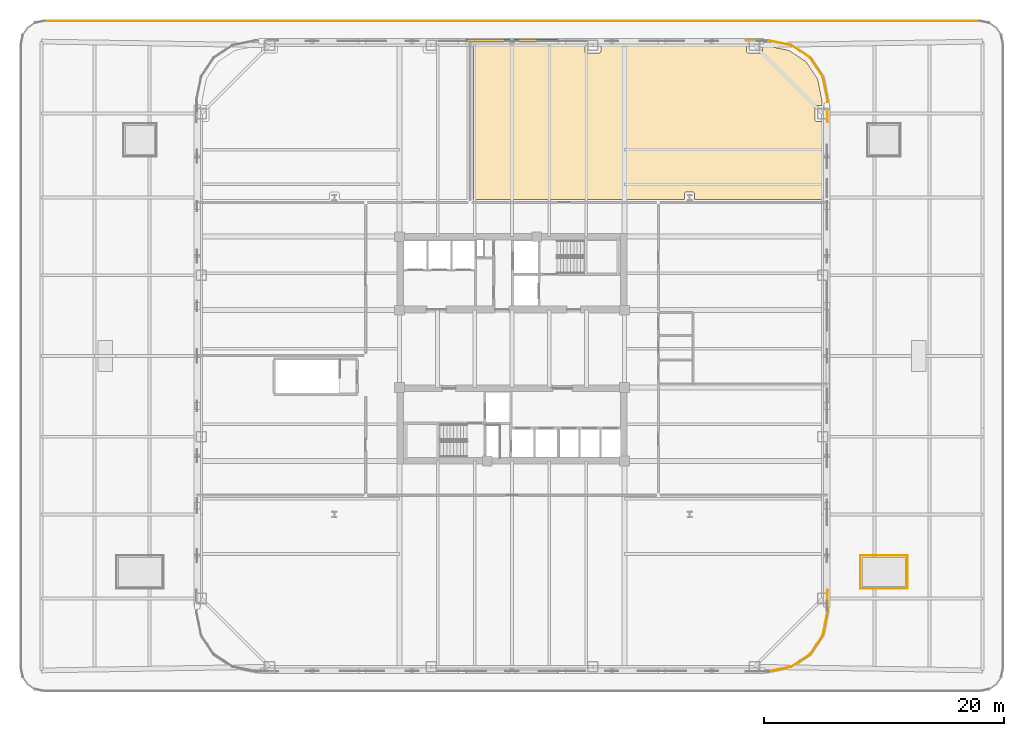
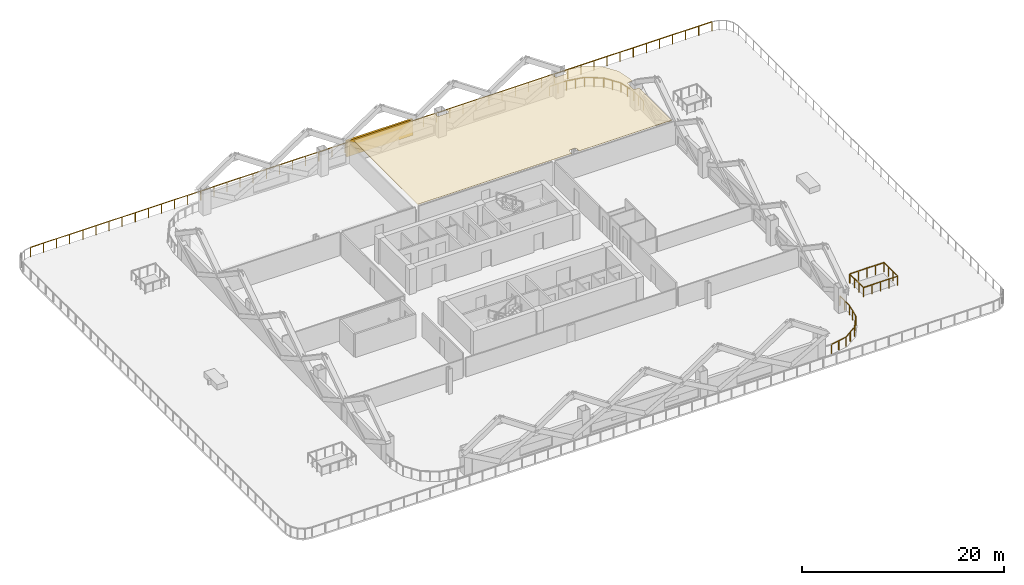
# One storey, part 16 of 17: 7 railings, 1 covering, 1 shading device.
"""IFC4 building model written with IfcOpenShell, lengths in metres."""

from ifc_helpers import new_model, si_unit, direction, frame, origin, origin_2d, place, context, subcontext, project, spatial, polyline, rectangle, outline, extrude, material, layer, layer_set, type_object, element, save


model = new_model("IFC4")

# Units and contexts
model_context = context("Model", 3, precision=1e-05, world=origin(), true_north=direction((0.0, 1.0)))
body_context = subcontext(model_context, "Body", "Model", "MODEL_VIEW")
ifc_project = project(units=[si_unit("LENGTHUNIT", "METRE"), si_unit("AREAUNIT", "SQUARE_METRE"), si_unit("VOLUMEUNIT", "CUBIC_METRE"), si_unit("PLANEANGLEUNIT", "RADIAN"), si_unit("MASSUNIT", "GRAM", prefix="KILO")], contexts=[model_context])

# Site, building, storey
site_placement = place(None, origin())
site = spatial("IfcSite", under=ifc_project, at=site_placement, CompositionType="ELEMENT")
building_placement = place(site_placement, origin())
building = spatial("IfcBuilding", under=site, at=building_placement, Name="Qhalaya Broadcast Tower", CompositionType="ELEMENT")
storey_placement = place(building_placement, frame((0.0, 0.0, 26.10009765625)))
storey = spatial("IfcBuildingStorey", under=building, at=storey_placement, Name="L06", CompositionType="ELEMENT", Elevation=26.10009765625)

# Covering
ifc_material_1 = material(Name="Acoustic Mineral-Fibre Ceiling")
ifc_layer = layer(ifc_material_1, 0.0400390625, Name="Acoustic Mineral-Fibre Ceiling")
ifc_layer_set = layer_set([ifc_layer], Name="Acoustic Mineral-Fibre Ceiling")
covering_type = type_object("IfcCoveringType", Name="Acoustic Mineral-Fibre Suspended Ceiling CLG-01", PredefinedType="CEILING", material=ifc_layer_set)
covering_placement = place(storey_placement, frame((0.0, 0.0, 2.789794921875)))
element("IfcCovering", 1, at=covering_placement, inside=storey, type_object=covering_type, Name="L06 Acoustic Suspended Ceiling 02", PredefinedType="CEILING", context=body_context, shape_type="SweptSolid", body=[
    extrude(outline(polyline([(6.063232421875, 25.820068359375), (-3.239990234375, 25.820068359375), (-3.239990234375, 13.06005859375), (14.37109375, 13.06005859375), (14.37109375, 13.47509765625), (14.3720703125, 13.49462890625), (14.374755859375, 13.513916015625), (14.379638671875, 13.533203125), (14.38623046875, 13.551513671875), (14.39453125, 13.5693359375), (14.40478515625, 13.586181640625), (14.41650390625, 13.601806640625), (14.4296875, 13.616455078125), (14.444091796875, 13.629638671875), (14.4599609375, 13.641357421875), (14.476806640625, 13.6513671875), (14.494384765625, 13.659912109375), (14.512939453125, 13.66650390625), (14.531982421875, 13.671142578125), (14.551513671875, 13.674072265625), (14.571044921875, 13.675048828125), (15.029052734375, 13.675048828125), (15.048583984375, 13.674072265625), (15.068115234375, 13.671142578125), (15.087158203125, 13.66650390625), (15.10546875, 13.659912109375), (15.123291015625, 13.6513671875), (15.14013671875, 13.641357421875), (15.156005859375, 13.629638671875), (15.17041015625, 13.616455078125), (15.18359375, 13.601806640625), (15.1953125, 13.586181640625), (15.205322265625, 13.5693359375), (15.2138671875, 13.551513671875), (15.220458984375, 13.533203125), (15.22509765625, 13.513916015625), (15.22802734375, 13.49462890625), (15.22900390625, 13.47509765625), (15.22900390625, 13.06005859375), (25.820068359375, 13.06005859375), (25.820068359375, 19.530029296875), (25.429931640625, 19.530029296875), (25.410400390625, 19.531005859375), (25.39111328125, 19.53369140625), (25.371826171875, 19.53857421875), (25.353515625, 19.545166015625), (25.335693359375, 19.5537109375), (25.31884765625, 19.563720703125), (25.302978515625, 19.575439453125), (25.28857421875, 19.588623046875), (25.275390625, 19.60302734375), (25.263671875, 19.618896484375), (25.253662109375, 19.6357421875), (25.2451171875, 19.653564453125), (25.238525390625, 19.671875), (25.23388671875, 19.69091796875), (25.23095703125, 19.71044921875), (25.22998046875, 19.72998046875), (25.22998046875, 20.669921875), (25.23095703125, 20.689697265625), (25.23388671875, 20.708984375), (25.238525390625, 20.72802734375), (25.2451171875, 20.74658203125), (25.253662109375, 20.764404296875), (25.263671875, 20.781005859375), (25.275390625, 20.796875), (25.28857421875, 20.811279296875), (25.302978515625, 20.82470703125), (25.31884765625, 20.836181640625), (25.335693359375, 20.846435546875), (25.353515625, 20.854736328125), (25.371826171875, 20.861328125), (25.39111328125, 20.8662109375), (25.410400390625, 20.868896484375), (25.429931640625, 20.8701171875), (25.820068359375, 20.8701171875), (25.820068359375, 21.343017578125), (25.472900390625, 23.087158203125), (24.517333984375, 24.517333984375), (23.087158203125, 25.472900390625), (21.343017578125, 25.820068359375), (20.8701171875, 25.820068359375), (20.8701171875, 25.429931640625), (20.868896484375, 25.410400390625), (20.8662109375, 25.39111328125), (20.861328125, 25.371826171875), (20.854736328125, 25.353515625), (20.846435546875, 25.335693359375), (20.836181640625, 25.31884765625), (20.82470703125, 25.302978515625), (20.811279296875, 25.28857421875), (20.796875, 25.275390625), (20.781005859375, 25.263671875), (20.764404296875, 25.253662109375), (20.74658203125, 25.2451171875), (20.72802734375, 25.238525390625), (20.708984375, 25.23388671875), (20.689697265625, 25.23095703125), (20.669921875, 25.22998046875), (19.72998046875, 25.22998046875), (19.71044921875, 25.23095703125), (19.69091796875, 25.23388671875), (19.671875, 25.238525390625), (19.653564453125, 25.2451171875), (19.6357421875, 25.253662109375), (19.618896484375, 25.263671875), (19.60302734375, 25.275390625), (19.588623046875, 25.28857421875), (19.575439453125, 25.302978515625), (19.563720703125, 25.31884765625), (19.5537109375, 25.335693359375), (19.545166015625, 25.353515625), (19.53857421875, 25.371826171875), (19.53369140625, 25.39111328125), (19.531005859375, 25.410400390625), (19.530029296875, 25.429931640625), (19.530029296875, 25.820068359375), (7.4033203125, 25.820068359375), (7.4033203125, 25.429931640625), (7.40234375, 25.410400390625), (7.3994140625, 25.39111328125), (7.394775390625, 25.371826171875), (7.38818359375, 25.353515625), (7.379638671875, 25.335693359375), (7.36962890625, 25.31884765625), (7.35791015625, 25.302978515625), (7.3447265625, 25.28857421875), (7.330078125, 25.275390625), (7.314453125, 25.263671875), (7.297607421875, 25.253662109375), (7.27978515625, 25.2451171875), (7.261474609375, 25.238525390625), (7.2421875, 25.23388671875), (7.222900390625, 25.23095703125), (7.203369140625, 25.22998046875), (6.26318359375, 25.22998046875), (6.24365234375, 25.23095703125), (6.224365234375, 25.23388671875), (6.205078125, 25.238525390625), (6.186767578125, 25.2451171875), (6.1689453125, 25.253662109375), (6.152099609375, 25.263671875), (6.136474609375, 25.275390625), (6.121826171875, 25.28857421875), (6.108642578125, 25.302978515625), (6.096923828125, 25.31884765625), (6.0869140625, 25.335693359375), (6.07861328125, 25.353515625), (6.072021484375, 25.371826171875), (6.067138671875, 25.39111328125), (6.064208984375, 25.410400390625), (6.063232421875, 25.429931640625), (6.063232421875, 25.820068359375)])), origin(), (0.0, 0.0, 1.0), 0.0400390625),
])

# Railings
ifc_material_2 = material(Name="Powder-Coated Galvanised Steel", Category="steel")
railing_type = type_object("IfcRailingType", Name="Terrace, Sky-Pool & Lookout Glass Balustrade 1150", PredefinedType="BALUSTRADE", material=ifc_material_2)
railing_1_placement = place(storey_placement, frame((-38.9921875, 27.919921875, 0.0)))
element("IfcRailing", 2, at=railing_1_placement, inside=storey, type_object=railing_type, Name="L06 Perimeter Safety Balustrade BAL-TER1-11", PredefinedType="BALUSTRADE", context=body_context, shape_type="SweptSolid", body=[
    extrude(rectangle(XDim=0.048095703125, YDim=0.048095703125, at=origin_2d()), frame((0.0, 0.0, 1.1259765625), z_axis=(1.0, 0.0, 0.0), x_axis=(0.0, 1.0, 0.0)), (0.0, 0.0, 1.0), 77.984375),
    extrude(rectangle(XDim=0.0419921875, YDim=0.0419921875, at=origin_2d()), origin(), (0.0, 0.0, 1.0), 1.099853515625),
    extrude(rectangle(XDim=0.0419921875, YDim=0.0419921875, at=origin_2d()), frame((1.499755859375, 0.0, 0.0)), (0.0, 0.0, 1.0), 1.099853515625),
    extrude(rectangle(XDim=0.0419921875, YDim=0.0419921875, at=origin_2d()), frame((2.99951171875, 0.0, 0.0)), (0.0, 0.0, 1.0), 1.099853515625),
    extrude(rectangle(XDim=0.0419921875, YDim=0.0419921875, at=origin_2d()), frame((4.4990234375, 0.0, 0.0)), (0.0, 0.0, 1.0), 1.099853515625),
    extrude(rectangle(XDim=0.0419921875, YDim=0.0419921875, at=origin_2d()), frame((5.998779296875, 0.0, 0.0)), (0.0, 0.0, 1.0), 1.099853515625),
    extrude(rectangle(XDim=0.0419921875, YDim=0.0419921875, at=origin_2d()), frame((7.49853515625, 0.0, 0.0)), (0.0, 0.0, 1.0), 1.099853515625),
    extrude(rectangle(XDim=0.0419921875, YDim=0.0419921875, at=origin_2d()), frame((8.998291015625, 0.0, 0.0)), (0.0, 0.0, 1.0), 1.099853515625),
    extrude(rectangle(XDim=0.0419921875, YDim=0.0419921875, at=origin_2d()), frame((10.497802734375, 0.0, 0.0)), (0.0, 0.0, 1.0), 1.099853515625),
    extrude(rectangle(XDim=0.0419921875, YDim=0.0419921875, at=origin_2d()), frame((11.99755859375, 0.0, 0.0)), (0.0, 0.0, 1.0), 1.099853515625),
    extrude(rectangle(XDim=0.0419921875, YDim=0.0419921875, at=origin_2d()), frame((13.497314453125, 0.0, 0.0)), (0.0, 0.0, 1.0), 1.099853515625),
    extrude(rectangle(XDim=0.0419921875, YDim=0.0419921875, at=origin_2d()), frame((14.9970703125, 0.0, 0.0)), (0.0, 0.0, 1.0), 1.099853515625),
    extrude(rectangle(XDim=0.0419921875, YDim=0.0419921875, at=origin_2d()), frame((16.49658203125, 0.0, 0.0)), (0.0, 0.0, 1.0), 1.099853515625),
    extrude(rectangle(XDim=0.0419921875, YDim=0.0419921875, at=origin_2d()), frame((17.996337890625, 0.0, 0.0)), (0.0, 0.0, 1.0), 1.099853515625),
    extrude(rectangle(XDim=0.0419921875, YDim=0.0419921875, at=origin_2d()), frame((19.49609375, 0.0, 0.0)), (0.0, 0.0, 1.0), 1.099853515625),
    extrude(rectangle(XDim=0.0419921875, YDim=0.0419921875, at=origin_2d()), frame((20.995849609375, 0.0, 0.0)), (0.0, 0.0, 1.0), 1.099853515625),
    extrude(rectangle(XDim=0.0419921875, YDim=0.0419921875, at=origin_2d()), frame((22.49560546875, 0.0, 0.0)), (0.0, 0.0, 1.0), 1.099853515625),
    extrude(rectangle(XDim=0.0419921875, YDim=0.0419921875, at=origin_2d()), frame((23.9951171875, 0.0, 0.0)), (0.0, 0.0, 1.0), 1.099853515625),
    extrude(rectangle(XDim=0.0419921875, YDim=0.0419921875, at=origin_2d()), frame((25.494873046875, 0.0, 0.0)), (0.0, 0.0, 1.0), 1.099853515625),
    extrude(rectangle(XDim=0.0419921875, YDim=0.0419921875, at=origin_2d()), frame((26.99462890625, 0.0, 0.0)), (0.0, 0.0, 1.0), 1.099853515625),
    extrude(rectangle(XDim=0.0419921875, YDim=0.0419921875, at=origin_2d()), frame((28.494384765625, 0.0, 0.0)), (0.0, 0.0, 1.0), 1.099853515625),
    extrude(rectangle(XDim=0.0419921875, YDim=0.0419921875, at=origin_2d()), frame((29.993896484375, 0.0, 0.0)), (0.0, 0.0, 1.0), 1.099853515625),
    extrude(rectangle(XDim=0.0419921875, YDim=0.0419921875, at=origin_2d()), frame((31.49365234375, 0.0, 0.0)), (0.0, 0.0, 1.0), 1.099853515625),
    extrude(rectangle(XDim=0.0419921875, YDim=0.0419921875, at=origin_2d()), frame((32.993408203125, 0.0, 0.0)), (0.0, 0.0, 1.0), 1.099853515625),
    extrude(rectangle(XDim=0.0419921875, YDim=0.0419921875, at=origin_2d()), frame((34.4931640625, 0.0, 0.0)), (0.0, 0.0, 1.0), 1.099853515625),
    extrude(rectangle(XDim=0.0419921875, YDim=0.0419921875, at=origin_2d()), frame((35.99267578125, 0.0, 0.0)), (0.0, 0.0, 1.0), 1.099853515625),
    extrude(rectangle(XDim=0.0419921875, YDim=0.0419921875, at=origin_2d()), frame((37.492431640625, 0.0, 0.0)), (0.0, 0.0, 1.0), 1.099853515625),
    extrude(rectangle(XDim=0.0419921875, YDim=0.0419921875, at=origin_2d()), frame((38.9921875, 0.0, 0.0)), (0.0, 0.0, 1.0), 1.099853515625),
    extrude(rectangle(XDim=0.0419921875, YDim=0.0419921875, at=origin_2d()), frame((40.491943359375, 0.0, 0.0)), (0.0, 0.0, 1.0), 1.099853515625),
    extrude(rectangle(XDim=0.0419921875, YDim=0.0419921875, at=origin_2d()), frame((41.99169921875, 0.0, 0.0)), (0.0, 0.0, 1.0), 1.099853515625),
    extrude(rectangle(XDim=0.0419921875, YDim=0.0419921875, at=origin_2d()), frame((43.4912109375, 0.0, 0.0)), (0.0, 0.0, 1.0), 1.099853515625),
    extrude(rectangle(XDim=0.0419921875, YDim=0.0419921875, at=origin_2d()), frame((44.990966796875, 0.0, 0.0)), (0.0, 0.0, 1.0), 1.099853515625),
    extrude(rectangle(XDim=0.0419921875, YDim=0.0419921875, at=origin_2d()), frame((46.49072265625, 0.0, 0.0)), (0.0, 0.0, 1.0), 1.099853515625),
    extrude(rectangle(XDim=0.0419921875, YDim=0.0419921875, at=origin_2d()), frame((47.990478515625, 0.0, 0.0)), (0.0, 0.0, 1.0), 1.099853515625),
    extrude(rectangle(XDim=0.0419921875, YDim=0.0419921875, at=origin_2d()), frame((49.489990234375, 0.0, 0.0)), (0.0, 0.0, 1.0), 1.099853515625),
    extrude(rectangle(XDim=0.0419921875, YDim=0.0419921875, at=origin_2d()), frame((50.98974609375, 0.0, 0.0)), (0.0, 0.0, 1.0), 1.099853515625),
    extrude(rectangle(XDim=0.0419921875, YDim=0.0419921875, at=origin_2d()), frame((52.489501953125, 0.0, 0.0)), (0.0, 0.0, 1.0), 1.099853515625),
    extrude(rectangle(XDim=0.0419921875, YDim=0.0419921875, at=origin_2d()), frame((53.9892578125, 0.0, 0.0)), (0.0, 0.0, 1.0), 1.099853515625),
    extrude(rectangle(XDim=0.0419921875, YDim=0.0419921875, at=origin_2d()), frame((55.48876953125, 0.0, 0.0)), (0.0, 0.0, 1.0), 1.099853515625),
    extrude(rectangle(XDim=0.0419921875, YDim=0.0419921875, at=origin_2d()), frame((56.988525390625, 0.0, 0.0)), (0.0, 0.0, 1.0), 1.099853515625),
    extrude(rectangle(XDim=0.0419921875, YDim=0.0419921875, at=origin_2d()), frame((58.48828125, 0.0, 0.0)), (0.0, 0.0, 1.0), 1.099853515625),
    extrude(rectangle(XDim=0.0419921875, YDim=0.0419921875, at=origin_2d()), frame((59.988037109375, 0.0, 0.0)), (0.0, 0.0, 1.0), 1.099853515625),
    extrude(rectangle(XDim=0.0419921875, YDim=0.0419921875, at=origin_2d()), frame((61.48779296875, 0.0, 0.0)), (0.0, 0.0, 1.0), 1.099853515625),
    extrude(rectangle(XDim=0.0419921875, YDim=0.0419921875, at=origin_2d()), frame((62.9873046875, 0.0, 0.0)), (0.0, 0.0, 1.0), 1.099853515625),
    extrude(rectangle(XDim=0.0419921875, YDim=0.0419921875, at=origin_2d()), frame((64.487060546875, 0.0, 0.0)), (0.0, 0.0, 1.0), 1.099853515625),
    extrude(rectangle(XDim=0.0419921875, YDim=0.0419921875, at=origin_2d()), frame((65.98681640625, 0.0, 0.0)), (0.0, 0.0, 1.0), 1.099853515625),
    extrude(rectangle(XDim=0.0419921875, YDim=0.0419921875, at=origin_2d()), frame((67.486572265625, 0.0, 0.0)), (0.0, 0.0, 1.0), 1.099853515625),
    extrude(rectangle(XDim=0.0419921875, YDim=0.0419921875, at=origin_2d()), frame((68.986083984375, 0.0, 0.0)), (0.0, 0.0, 1.0), 1.099853515625),
    extrude(rectangle(XDim=0.0419921875, YDim=0.0419921875, at=origin_2d()), frame((70.48583984375, 0.0, 0.0)), (0.0, 0.0, 1.0), 1.099853515625),
    extrude(rectangle(XDim=0.0419921875, YDim=0.0419921875, at=origin_2d()), frame((71.985595703125, 0.0, 0.0)), (0.0, 0.0, 1.0), 1.099853515625),
    extrude(rectangle(XDim=0.0419921875, YDim=0.0419921875, at=origin_2d()), frame((73.4853515625, 0.0, 0.0)), (0.0, 0.0, 1.0), 1.099853515625),
    extrude(rectangle(XDim=0.0419921875, YDim=0.0419921875, at=origin_2d()), frame((74.98486328125, 0.0, 0.0)), (0.0, 0.0, 1.0), 1.099853515625),
    extrude(rectangle(XDim=0.0419921875, YDim=0.0419921875, at=origin_2d()), frame((76.484619140625, 0.0, 0.0)), (0.0, 0.0, 1.0), 1.099853515625),
    extrude(rectangle(XDim=0.0419921875, YDim=0.0419921875, at=origin_2d()), frame((77.984375, 0.0, 0.0)), (0.0, 0.0, 1.0), 1.099853515625),
])
railing_2_placement = place(storey_placement, frame((29.0400390625, -19.360107421875, 0.0)))
element("IfcRailing", 3, at=railing_2_placement, inside=storey, type_object=railing_type, Name="L06 Skylight Safety Guard SK1-2-1", PredefinedType="BALUSTRADE", context=body_context, shape_type="SweptSolid", body=[
    extrude(rectangle(XDim=0.048095703125, YDim=0.048095703125, at=origin_2d()), frame((0.0, 0.0, 1.1259765625), z_axis=(1.0, 0.0, 0.0), x_axis=(0.0, 1.0, 0.0)), (0.0, 0.0, 1.0), 3.919921875),
    extrude(rectangle(XDim=0.0419921875, YDim=0.0419921875, at=origin_2d()), origin(), (0.0, 0.0, 1.0), 1.099853515625),
    extrude(rectangle(XDim=0.0419921875, YDim=0.0419921875, at=origin_2d()), frame((0.97998046875, 0.0, 0.0)), (0.0, 0.0, 1.0), 1.099853515625),
    extrude(rectangle(XDim=0.0419921875, YDim=0.0419921875, at=origin_2d()), frame((1.9599609375, 0.0, 0.0)), (0.0, 0.0, 1.0), 1.099853515625),
    extrude(rectangle(XDim=0.0419921875, YDim=0.0419921875, at=origin_2d()), frame((2.93994140625, 0.0, 0.0)), (0.0, 0.0, 1.0), 1.099853515625),
    extrude(rectangle(XDim=0.0419921875, YDim=0.0419921875, at=origin_2d()), frame((3.919921875, 0.0, 0.0)), (0.0, 0.0, 1.0), 1.099853515625),
])
railing_3_placement = place(storey_placement, frame((32.9599609375, -19.360107421875, 0.0)))
element("IfcRailing", 4, at=railing_3_placement, inside=storey, type_object=railing_type, Name="L06 Skylight Safety Guard SK1-2-2", PredefinedType="BALUSTRADE", context=body_context, shape_type="SweptSolid", body=[
    extrude(rectangle(XDim=0.048095703125, YDim=0.048095703125, at=origin_2d()), frame((0.0, 0.0, 1.1259765625), z_axis=(0.0, 1.0, 0.0), x_axis=(-1.0, 0.0, 0.0)), (0.0, 0.0, 1.0), 2.72021484375),
    extrude(rectangle(XDim=0.0419921875, YDim=0.0419921875, at=origin_2d()), origin(), (0.0, 0.0, 1.0), 1.099853515625),
    extrude(rectangle(XDim=0.0419921875, YDim=0.0419921875, at=origin_2d()), frame((0.0, 0.90673828125, 0.0)), (0.0, 0.0, 1.0), 1.099853515625),
    extrude(rectangle(XDim=0.0419921875, YDim=0.0419921875, at=origin_2d()), frame((0.0, 1.8134765625, 0.0)), (0.0, 0.0, 1.0), 1.099853515625),
    extrude(rectangle(XDim=0.0419921875, YDim=0.0419921875, at=origin_2d()), frame((0.0, 2.72021484375, 0.0)), (0.0, 0.0, 1.0), 1.099853515625),
])
railing_4_placement = place(storey_placement, frame((32.9599609375, -16.639892578125, 0.0)))
element("IfcRailing", 5, at=railing_4_placement, inside=storey, type_object=railing_type, Name="L06 Skylight Safety Guard SK1-2-3", PredefinedType="BALUSTRADE", context=body_context, shape_type="SweptSolid", body=[
    extrude(rectangle(XDim=0.048095703125, YDim=0.048095703125, at=origin_2d()), frame((0.0, 0.0, 1.1259765625), z_axis=(-1.0, 0.0, 0.0), x_axis=(0.0, -1.0, 0.0)), (0.0, 0.0, 1.0), 3.919921875),
    extrude(rectangle(XDim=0.0419921875, YDim=0.0419921875, at=origin_2d()), origin(), (0.0, 0.0, 1.0), 1.099853515625),
    extrude(rectangle(XDim=0.0419921875, YDim=0.0419921875, at=origin_2d()), frame((-0.97998046875, 0.0, 0.0)), (0.0, 0.0, 1.0), 1.099853515625),
    extrude(rectangle(XDim=0.0419921875, YDim=0.0419921875, at=origin_2d()), frame((-1.9599609375, 0.0, 0.0)), (0.0, 0.0, 1.0), 1.099853515625),
    extrude(rectangle(XDim=0.0419921875, YDim=0.0419921875, at=origin_2d()), frame((-2.93994140625, 0.0, 0.0)), (0.0, 0.0, 1.0), 1.099853515625),
    extrude(rectangle(XDim=0.0419921875, YDim=0.0419921875, at=origin_2d()), frame((-3.919921875, 0.0, 0.0)), (0.0, 0.0, 1.0), 1.099853515625),
])
railing_5_placement = place(storey_placement, frame((29.0400390625, -16.639892578125, 0.0)))
element("IfcRailing", 6, at=railing_5_placement, inside=storey, type_object=railing_type, Name="L06 Skylight Safety Guard SK1-2-4", PredefinedType="BALUSTRADE", context=body_context, shape_type="SweptSolid", body=[
    extrude(rectangle(XDim=0.048095703125, YDim=0.048095703125, at=origin_2d()), frame((0.0, 0.0, 1.1259765625), z_axis=(0.0, -1.0, 0.0), x_axis=(1.0, 0.0, 0.0)), (0.0, 0.0, 1.0), 2.72021484375),
    extrude(rectangle(XDim=0.0419921875, YDim=0.0419921875, at=origin_2d()), origin(), (0.0, 0.0, 1.0), 1.099853515625),
    extrude(rectangle(XDim=0.0419921875, YDim=0.0419921875, at=origin_2d()), frame((0.0, -0.90673828125, 0.0)), (0.0, 0.0, 1.0), 1.099853515625),
    extrude(rectangle(XDim=0.0419921875, YDim=0.0419921875, at=origin_2d()), frame((0.0, -1.8134765625, 0.0)), (0.0, 0.0, 1.0), 1.099853515625),
    extrude(rectangle(XDim=0.0419921875, YDim=0.0419921875, at=origin_2d()), frame((0.0, -2.72021484375, 0.0)), (0.0, 0.0, 1.0), 1.099853515625),
])
railing_6_placement = place(storey_placement, frame((19.48193359375, 26.280029296875, 0.0)))
element("IfcRailing", 7, at=railing_6_placement, inside=storey, type_object=railing_type, Name="L06 Rounded Corner Perimeter Guard 04", PredefinedType="BALUSTRADE", context=body_context, shape_type="SweptSolid", body=[
    extrude(rectangle(XDim=0.048095703125, YDim=0.048095703125, at=origin_2d()), frame((0.0, 0.0, 1.1259765625), z_axis=(1.0, 0.0, 0.0), x_axis=(0.0, 1.0, 0.0)), (0.0, 0.0, 1.0), 1.87744140625),
    extrude(rectangle(XDim=0.048095703125, YDim=0.048095703125, at=origin_2d()), frame((1.9345703125, -0.005615234375, 1.1259765625), z_axis=(0.980795810058, -0.195037378397, 0.0), x_axis=(0.195037378397, 0.980795810058, 0.0)), (0.0, 0.0, 1.0), 1.857421875),
    extrude(rectangle(XDim=0.048095703125, YDim=0.048095703125, at=origin_2d()), frame((3.80859375, -0.3896484375, 1.1259765625), z_axis=(0.831477548332, -0.555558355728, 0.0), x_axis=(0.555558355728, 0.831477548332, 0.0)), (0.0, 0.0, 1.0), 1.845458984375),
    extrude(rectangle(XDim=0.048095703125, YDim=0.048095703125, at=origin_2d()), frame((5.38330078125, -1.454833984375, 1.1259765625), z_axis=(0.555558355728, -0.831477548332, 0.0), x_axis=(0.831477548332, 0.555558355728, 0.0)), (0.0, 0.0, 1.0), 1.845458984375),
    extrude(rectangle(XDim=0.048095703125, YDim=0.048095703125, at=origin_2d()), frame((6.43017578125, -3.041748046875, 1.1259765625), z_axis=(0.195037378397, -0.980795810058, 0.0), x_axis=(0.980795810058, 0.195037378397, 0.0)), (0.0, 0.0, 1.0), 1.857421875),
    extrude(rectangle(XDim=0.048095703125, YDim=0.048095703125, at=origin_2d()), frame((6.798095703125, -4.920654296875, 1.1259765625), z_axis=(0.0, -1.0, 0.0), x_axis=(1.0, 0.0, 0.0)), (0.0, 0.0, 1.0), 1.87744140625),
    extrude(rectangle(XDim=0.0419921875, YDim=0.0419921875, at=origin_2d()), origin(), (0.0, 0.0, 1.0), 1.099853515625),
    extrude(rectangle(XDim=0.0419921875, YDim=0.0419921875, at=origin_2d()), frame((0.953125, 0.0, 0.0)), (0.0, 0.0, 1.0), 1.099853515625),
    extrude(rectangle(XDim=0.0419921875, YDim=0.0419921875, at=origin_2d()), frame((1.90625, 0.0, 0.0)), (0.0, 0.0, 1.0), 1.099853515625),
    extrude(rectangle(XDim=0.0419921875, YDim=0.0419921875, at=origin_2d()), frame((2.845458984375, -0.186767578125, 0.0)), (0.0, 0.0, 1.0), 1.099853515625),
    extrude(rectangle(XDim=0.0419921875, YDim=0.0419921875, at=origin_2d()), frame((3.78466796875, -0.37353515625, 0.0)), (0.0, 0.0, 1.0), 1.099853515625),
    extrude(rectangle(XDim=0.0419921875, YDim=0.0419921875, at=origin_2d()), frame((4.575927734375, -0.90234375, 0.0)), (0.0, 0.0, 1.0), 1.099853515625),
    extrude(rectangle(XDim=0.0419921875, YDim=0.0419921875, at=origin_2d()), frame((5.3671875, -1.430908203125, 0.0)), (0.0, 0.0, 1.0), 1.099853515625),
    extrude(rectangle(XDim=0.0419921875, YDim=0.0419921875, at=origin_2d()), frame((5.89599609375, -2.22216796875, 0.0)), (0.0, 0.0, 1.0), 1.099853515625),
    extrude(rectangle(XDim=0.0419921875, YDim=0.0419921875, at=origin_2d()), frame((6.424560546875, -3.013427734375, 0.0)), (0.0, 0.0, 1.0), 1.099853515625),
    extrude(rectangle(XDim=0.0419921875, YDim=0.0419921875, at=origin_2d()), frame((6.611328125, -3.95263671875, 0.0)), (0.0, 0.0, 1.0), 1.099853515625),
    extrude(rectangle(XDim=0.0419921875, YDim=0.0419921875, at=origin_2d()), frame((6.798095703125, -4.891845703125, 0.0)), (0.0, 0.0, 1.0), 1.099853515625),
    extrude(rectangle(XDim=0.0419921875, YDim=0.0419921875, at=origin_2d()), frame((6.798095703125, -5.844970703125, 0.0)), (0.0, 0.0, 1.0), 1.099853515625),
    extrude(rectangle(XDim=0.0419921875, YDim=0.0419921875, at=origin_2d()), frame((6.798095703125, -6.798095703125, 0.0)), (0.0, 0.0, 1.0), 1.099853515625),
])
railing_7_placement = place(storey_placement, frame((26.280029296875, -19.48193359375, 0.0)))
element("IfcRailing", 8, at=railing_7_placement, inside=storey, type_object=railing_type, Name="L06 Rounded Corner Perimeter Guard 05", PredefinedType="BALUSTRADE", context=body_context, shape_type="SweptSolid", body=[
    extrude(rectangle(XDim=0.048095703125, YDim=0.048095703125, at=origin_2d()), frame((0.0, 0.0, 1.1259765625), z_axis=(0.0, -1.0, 0.0), x_axis=(1.0, 0.0, 0.0)), (0.0, 0.0, 1.0), 1.87744140625),
    extrude(rectangle(XDim=0.048095703125, YDim=0.048095703125, at=origin_2d()), frame((-0.005615234375, -1.9345703125, 1.1259765625), z_axis=(-0.195037378397, -0.980795810058, 0.0), x_axis=(0.980795810058, -0.195037378397, 0.0)), (0.0, 0.0, 1.0), 1.857421875),
    extrude(rectangle(XDim=0.048095703125, YDim=0.048095703125, at=origin_2d()), frame((-0.3896484375, -3.80859375, 1.1259765625), z_axis=(-0.555558355728, -0.831477548332, 0.0), x_axis=(0.831477548332, -0.555558355728, 0.0)), (0.0, 0.0, 1.0), 1.845458984375),
    extrude(rectangle(XDim=0.048095703125, YDim=0.048095703125, at=origin_2d()), frame((-1.454833984375, -5.38330078125, 1.1259765625), z_axis=(-0.831477548332, -0.555558355728, 0.0), x_axis=(0.555558355728, -0.831477548332, 0.0)), (0.0, 0.0, 1.0), 1.845458984375),
    extrude(rectangle(XDim=0.048095703125, YDim=0.048095703125, at=origin_2d()), frame((-3.041748046875, -6.43017578125, 1.1259765625), z_axis=(-0.980795810058, -0.195037378397, 0.0), x_axis=(0.195037378397, -0.980795810058, 0.0)), (0.0, 0.0, 1.0), 1.88623046875),
    extrude(rectangle(XDim=0.0419921875, YDim=0.0419921875, at=origin_2d()), origin(), (0.0, 0.0, 1.0), 1.099853515625),
    extrude(rectangle(XDim=0.0419921875, YDim=0.0419921875, at=origin_2d()), frame((0.0, -0.953125, 0.0)), (0.0, 0.0, 1.0), 1.099853515625),
    extrude(rectangle(XDim=0.0419921875, YDim=0.0419921875, at=origin_2d()), frame((0.0, -1.90625, 0.0)), (0.0, 0.0, 1.0), 1.099853515625),
    extrude(rectangle(XDim=0.0419921875, YDim=0.0419921875, at=origin_2d()), frame((-0.186767578125, -2.845458984375, 0.0)), (0.0, 0.0, 1.0), 1.099853515625),
    extrude(rectangle(XDim=0.0419921875, YDim=0.0419921875, at=origin_2d()), frame((-0.37353515625, -3.78466796875, 0.0)), (0.0, 0.0, 1.0), 1.099853515625),
    extrude(rectangle(XDim=0.0419921875, YDim=0.0419921875, at=origin_2d()), frame((-0.90234375, -4.575927734375, 0.0)), (0.0, 0.0, 1.0), 1.099853515625),
    extrude(rectangle(XDim=0.0419921875, YDim=0.0419921875, at=origin_2d()), frame((-1.430908203125, -5.3671875, 0.0)), (0.0, 0.0, 1.0), 1.099853515625),
    extrude(rectangle(XDim=0.0419921875, YDim=0.0419921875, at=origin_2d()), frame((-2.22216796875, -5.89599609375, 0.0)), (0.0, 0.0, 1.0), 1.099853515625),
    extrude(rectangle(XDim=0.0419921875, YDim=0.0419921875, at=origin_2d()), frame((-3.013427734375, -6.424560546875, 0.0)), (0.0, 0.0, 1.0), 1.099853515625),
    extrude(rectangle(XDim=0.0419921875, YDim=0.0419921875, at=origin_2d()), frame((-3.95263671875, -6.611328125, 0.0)), (0.0, 0.0, 1.0), 1.099853515625),
    extrude(rectangle(XDim=0.0419921875, YDim=0.0419921875, at=origin_2d()), frame((-4.891845703125, -6.798095703125, 0.0)), (0.0, 0.0, 1.0), 1.099853515625),
])

# Shading device
ifc_material_3 = material(Name="Fired Architectural Terracotta", Category="masonry")
shading_device_type = type_object("IfcShadingDeviceType", Name="Terracotta Baguette Solar Screen Assembly TBS-01", PredefinedType="USERDEFINED", material=ifc_material_3)
shading_device_placement = place(storey_placement, frame((0.0, 26.280029296875, 0.79248046875), z_axis=(0.0, 0.0, 1.0), x_axis=(-1.0, 0.0, 0.0)))
element("IfcShadingDevice", 9, at=shading_device_placement, inside=storey, type_object=shading_device_type, Name="L06 Fired Terracotta Baguette Screen N", ObjectType="BAGUETTE", PredefinedType="USERDEFINED", context=body_context, shape_type="SweptSolid", body=[
    extrude(rectangle(XDim=7.60009765625, YDim=0.239990234375, at=origin_2d()), origin(), (0.0, 0.0, 1.0), 1.924072265625),
])

save(model, "model.ifc")
